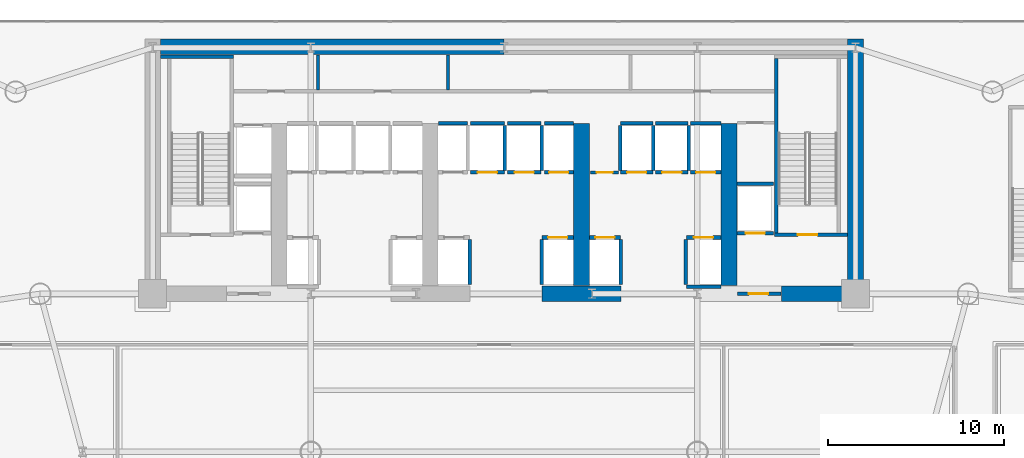
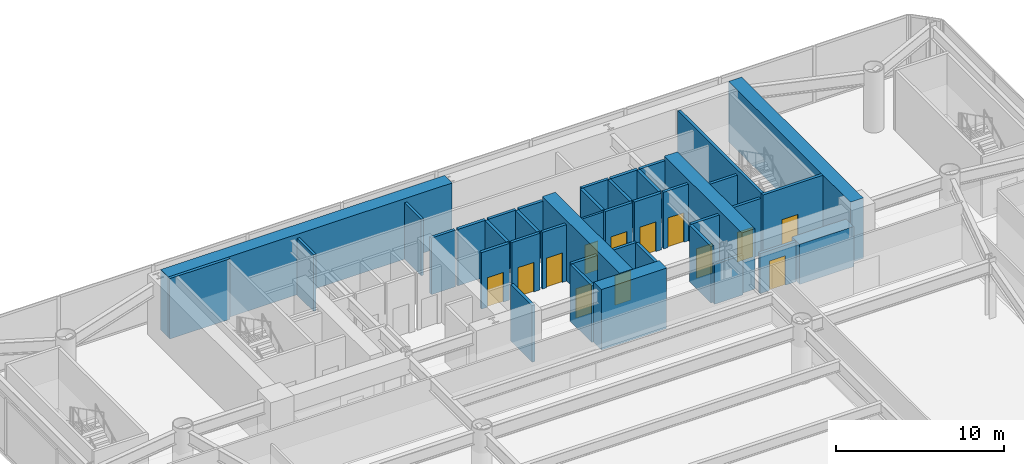
# One storey, part 15 of 24: 41 walls, 13 doors, 13 openings.
"""IFC4 building model written with IfcOpenShell, lengths in metres."""

from ifc_helpers import new_model, si_unit, direction, frame, frame_2d, origin, place, context, subcontext, project, spatial, rectangle, extrude, source, transform, mapped, material, layer, layer_set, type_object, element, fill, save


model = new_model("IFC4")

# Units and contexts
model_context = context("Model", 3, precision=1e-05, world=origin(), true_north=direction((0.0, 1.0)))
body_context = subcontext(model_context, "Body", "Model", "MODEL_VIEW")
ifc_project = project(units=[si_unit("LENGTHUNIT", "METRE"), si_unit("AREAUNIT", "SQUARE_METRE"), si_unit("VOLUMEUNIT", "CUBIC_METRE"), si_unit("PLANEANGLEUNIT", "RADIAN"), si_unit("MASSUNIT", "GRAM", prefix="KILO")], contexts=[model_context])

# Site, building, storey
site_placement = place(None, origin())
site = spatial("IfcSite", under=ifc_project, at=site_placement, CompositionType="ELEMENT")
building_placement = place(site_placement, origin())
building = spatial("IfcBuilding", under=site, at=building_placement, Name="Vaeldorn Concourse Tower", CompositionType="ELEMENT")
storey_placement = place(building_placement, frame((0.0, 0.0, 5.60009765625)))
storey = spatial("IfcBuildingStorey", under=building, at=storey_placement, Name="L01", CompositionType="ELEMENT", Elevation=5.60009765625)

# Walls
ifc_material_1 = material(Name="Concrete C60/75", Category="concrete")
ifc_layer_1 = layer(ifc_material_1, 0.89990234375)
ifc_layer_set_1 = layer_set([ifc_layer_1], Name="Concrete C60/75")
wall_type_1 = type_object("IfcWallType", Name="WL-CORE-900", PredefinedType="SHEAR", material=ifc_layer_set_1)
wall_1_placement = place(storey_placement, frame((14.4541015625, 50.550048828125, 0.0), z_axis=(0.0, 0.0, 1.0), x_axis=(1.0, 0.0, 0.0)))
element("IfcWall", 1, at=wall_1_placement, inside=storey, type_object=wall_type_1, Name="Rear Core Shear Wall L01 N1", PredefinedType="SHEAR", context=body_context, shape_type="SweptSolid", body=[
    extrude(rectangle(XDim=19.5439453125, YDim=0.89990234375, at=frame_2d((9.77197265625, 0.0))), origin(), (0.0, 0.0, 1.0), 4.39990234375),
])
wall_2_placement = place(storey_placement, frame((54.0, 36.5, 0.0), z_axis=(0.0, 0.0, 1.0), x_axis=(0.0, 1.0, 0.0)))
element("IfcWall", 2, at=wall_2_placement, inside=storey, type_object=wall_type_1, Name="Rear Core Shear Wall L01 E1", PredefinedType="SHEAR", context=body_context, shape_type="SweptSolid", body=[
    extrude(rectangle(XDim=14.5, YDim=0.89990234375, at=frame_2d((7.25, 0.0))), origin(), (0.0, 0.0, 1.0), 4.39990234375),
])
wall_3_placement = place(storey_placement, frame((36.14990234375, 36.5, 0.0), z_axis=(0.0, 0.0, 1.0), x_axis=(1.0, 0.0, 0.0)))
element("IfcWall", 3, at=wall_3_placement, inside=storey, type_object=wall_type_1, Name="Rear Core Shear Wall L01 S3", PredefinedType="SHEAR", context=body_context, shape_type="SweptSolid", body=[
    extrude(rectangle(XDim=4.5, YDim=0.89990234375, at=frame_2d((2.25, 0.0))), origin(), (0.0, 0.0, 1.0), 4.39990234375),
])
wall_4_placement = place(storey_placement, frame((49.800048828125, 36.5, 0.0), z_axis=(0.0, 0.0, 1.0), x_axis=(1.0, 0.0, 0.0)))
element("IfcWall", 4, at=wall_4_placement, inside=storey, type_object=wall_type_1, Name="Rear Core Shear Wall L01 S4", PredefinedType="SHEAR", context=body_context, shape_type="SweptSolid", body=[
    extrude(rectangle(XDim=3.72998046875, YDim=0.89990234375, at=frame_2d((1.864990234375, 0.0))), origin(), (0.0, 0.0, 1.0), 2.919921875),
])
for number, where, z_axis, x_axis, name in (
    (5, (38.39990234375, 36.969970703125, 0.0), (0.0, 0.0, 1.0), (0.0, 1.0, 0.0), "Rear Core Shear Wall L01 M3"),
    (6, (46.800048828125, 36.969970703125, 0.0), (0.0, 0.0, 1.0), (0.0, 1.0, 0.0), "Rear Core Shear Wall L01 M4"),
):
    element("IfcWall", number, at=place(storey_placement, frame(where, z_axis=z_axis, x_axis=x_axis)), inside=storey, type_object=wall_type_1, Name=name, PredefinedType="SHEAR", context=body_context, shape_type="SweptSolid", body=[
        extrude(rectangle(XDim=9.22998046875, YDim=0.89990234375, at=frame_2d((4.614990234375, 0.0))), origin(), (0.0, 0.0, 1.0), 4.39990234375),
    ])

# Wall, opening, door
ifc_material_2 = material(Name="Gypsum Board Partition", Category="gypsum")
ifc_layer_2 = layer(ifc_material_2, 0.14990234375)
ifc_layer_set_2 = layer_set([ifc_layer_2], Name="Gypsum Board Partition")
wall_type_2 = type_object("IfcWallType", Name="WL-PART-150", PredefinedType="PARTITIONING", material=ifc_layer_set_2)
wall_5_placement = place(storey_placement, frame((38.919921875, 43.39990234375, 0.0), z_axis=(0.0, 0.0, 1.0), x_axis=(1.0, 0.0, 0.0)))
wall_5 = element("IfcWall", 7, at=wall_5_placement, inside=storey, type_object=wall_type_2, Name="Interior Wall CW-L01-CCLINK", PredefinedType="PARTITIONING", context=body_context, shape_type="SweptSolid", body=[
    extrude(rectangle(XDim=1.60009765625, YDim=0.14990234375, at=frame_2d((0.800048828125, 0.0))), origin(), (0.0, 0.0, 1.0), 4.119873046875),
])
opening_1_placement = place(wall_5_placement, frame((0.35009765625, 0.0, 0.0)))
opening_1 = element("IfcOpeningElement", 8, at=opening_1_placement, cuts=wall_5, Name="Opening D-02", PredefinedType="OPENING", context=body_context, shape_type="SweptSolid", body=[
    extrude(rectangle(XDim=0.89990234375, YDim=2.10009765625, at=frame_2d((0.449951171875, 1.050048828125))), frame((0.0, 0.0849609375, 0.0), z_axis=(0.0, -1.0, 0.0), x_axis=(1.0, 0.0, 0.0)), (0.0, 0.0, 1.0), 0.169921875),
])
ifc_material_3 = material(Name="Fire-Rated Timber Leaf", Category="wood")
door_type_1 = type_object("IfcDoorType", Name="DR-FD30-900", OperationType="NOTDEFINED", PredefinedType="DOOR", material=ifc_material_3)
shared_shape_1 = source(origin(), body_context, "Body", "SweptSolid", [
    extrude(rectangle(XDim=0.89990234375, YDim=2.10009765625, at=frame_2d((0.449951171875, 1.050048828125))), frame((0.0, 0.02490234375, 0.0), z_axis=(0.0, -1.0, 0.0), x_axis=(1.0, 0.0, 0.0)), (0.0, 0.0, 1.0), 0.050048828125),
])
door_1_placement = place(opening_1_placement, origin())
door_1 = element("IfcDoor", 9, at=door_1_placement, inside=storey, type_object=door_type_1, Name="Interior Door DR-L01-CCLINK", OperationType="SINGLE_SWING_LEFT", OverallHeight=2.10009765625, OverallWidth=0.89990234375, PredefinedType="DOOR", context=body_context, shape_type="MappedRepresentation", body=[
    mapped(shared_shape_1, transform((0.0, 0.0, 0.0), scale=1.0)),
])
fill(opening_1, door_1)

# Walls
ifc_layer_3 = layer(ifc_material_2, 0.179931640625)
ifc_layer_set_3 = layer_set([ifc_layer_3], Name="Gypsum Board Partition")
wall_type_3 = type_object("IfcWallType", Name="WL-PLUMB-180", PredefinedType="PLUMBINGWALL", material=ifc_layer_set_3)
for number, where, z_axis, x_axis, name in (
    (10, (23.39990234375, 48.10009765625, 0.0), (0.0, 0.0, 1.0), (0.0, 1.0, 0.0), "Interior Wall CW-L01-NDIV1"),
    (11, (30.800048828125, 48.10009765625, 0.0), (0.0, 0.0, 1.0), (0.0, 1.0, 0.0), "Interior Wall CW-L01-NDIV2"),
):
    element("IfcWall", number, at=place(storey_placement, frame(where, z_axis=z_axis, x_axis=x_axis)), inside=storey, type_object=wall_type_3, Name=name, PredefinedType="PLUMBINGWALL", context=body_context, shape_type="SweptSolid", body=[
        extrude(rectangle(XDim=1.97998046875, YDim=0.179931640625, at=frame_2d((0.989990234375, 0.0))), origin(), (0.0, 0.0, 1.0), 4.119873046875),
    ])
ifc_material_4 = material(Name="Concrete C50/60", Category="concrete")
ifc_layer_4 = layer(ifc_material_4, 0.199951171875)
ifc_layer_set_4 = layer_set([ifc_layer_4], Name="Concrete C50/60")
wall_type_4 = type_object("IfcWallType", Name="WL-SHAFT-200", PredefinedType="SOLIDWALL", material=ifc_layer_set_4)
wall_6_placement = place(storey_placement, frame((14.449951171875, 50.0, 0.0), z_axis=(0.0, 0.0, 1.0), x_axis=(1.0, 0.0, 0.0)))
element("IfcWall", 12, at=wall_6_placement, inside=storey, type_object=wall_type_4, Name="Stair Shaft Wall CW-L01-ST-1-N", PredefinedType="SOLIDWALL", context=body_context, shape_type="SweptSolid", body=[
    extrude(rectangle(XDim=4.150146484375, YDim=0.199951171875, at=frame_2d((2.0751953125, 0.0))), origin(), (0.0, 0.0, 1.0), 4.39990234375),
])

# Wall, opening, door
wall_7_placement = place(storey_placement, frame((49.39990234375, 39.85009765625, 0.0), z_axis=(0.0, 0.0, 1.0), x_axis=(1.0, 0.0, 0.0)))
wall_7 = element("IfcWall", 13, at=wall_7_placement, inside=storey, type_object=wall_type_4, Name="Stair Shaft Wall CW-L01-ST-2-S", PredefinedType="SOLIDWALL", context=body_context, shape_type="SweptSolid", body=[
    extrude(rectangle(XDim=4.150146484375, YDim=0.199951171875, at=frame_2d((2.0751953125, 0.0))), origin(), (0.0, 0.0, 1.0), 4.39990234375),
])
opening_2_placement = place(wall_7_placement, frame((1.324951171875, 0.0, 0.0)))
opening_2 = element("IfcOpeningElement", 14, at=opening_2_placement, cuts=wall_7, Name="Opening D-01", PredefinedType="OPENING", context=body_context, shape_type="SweptSolid", body=[
    extrude(rectangle(XDim=1.10009765625, YDim=2.14990234375, at=frame_2d((0.550048828125, 1.074951171875))), frame((0.0, 0.10986328125, 0.0), z_axis=(0.0, -1.0, 0.0), x_axis=(1.0, 0.0, 0.0)), (0.0, 0.0, 1.0), 0.219970703125),
])
ifc_material_5 = material(Name="Fire-Rated Timber and Steel Leaf", Category="steel")
door_type_2 = type_object("IfcDoorType", Name="DR-FD60-1100", OperationType="NOTDEFINED", PredefinedType="DOOR", material=ifc_material_5)
shared_shape_2 = source(origin(), body_context, "Body", "SweptSolid", [
    extrude(rectangle(XDim=1.10009765625, YDim=2.14990234375, at=frame_2d((0.550048828125, 1.074951171875))), frame((0.0, 0.02490234375, 0.0), z_axis=(0.0, -1.0, 0.0), x_axis=(1.0, 0.0, 0.0)), (0.0, 0.0, 1.0), 0.050048828125),
])
door_2_placement = place(opening_2_placement, origin())
door_2 = element("IfcDoor", 15, at=door_2_placement, inside=storey, type_object=door_type_2, Name="Interior Door DR-L01-ST-2", OperationType="SINGLE_SWING_RIGHT", OverallHeight=2.14990234375, OverallWidth=1.10009765625, PredefinedType="DOOR", context=body_context, shape_type="MappedRepresentation", body=[
    mapped(shared_shape_2, transform((0.0, 0.0, 0.0), scale=1.0)),
])
fill(opening_2, door_2)

# Wall
wall_8_placement = place(storey_placement, frame((49.5, 39.9599609375, 0.0), z_axis=(0.0, 0.0, 1.0), x_axis=(0.0, 1.0, 0.0)))
element("IfcWall", 16, at=wall_8_placement, inside=storey, type_object=wall_type_4, Name="Stair Shaft Wall CW-L01-ST-2-W", PredefinedType="SOLIDWALL", context=body_context, shape_type="SweptSolid", body=[
    extrude(rectangle(XDim=9.929931640625, YDim=0.199951171875, at=frame_2d((4.96484375, 0.0))), origin(), (0.0, 0.0, 1.0), 4.39990234375),
])

# Wall, opening, door
wall_9_placement = place(storey_placement, frame((47.280029296875, 36.5, 0.0), z_axis=(0.0, 0.0, 1.0), x_axis=(1.0, 0.0, 0.0)))
wall_9 = element("IfcWall", 17, at=wall_9_placement, inside=storey, type_object=wall_type_4, Name="Interior Wall CW-L01-FF2S", PredefinedType="SOLIDWALL", context=body_context, shape_type="SweptSolid", body=[
    extrude(rectangle(XDim=2.469970703125, YDim=0.199951171875, at=frame_2d((1.23486328125, 0.0))), origin(), (0.0, 0.0, 1.0), 2.909912109375),
])
opening_3_placement = place(wall_9_placement, frame((0.64990234375, 0.0, 0.0)))
opening_3 = element("IfcOpeningElement", 18, at=opening_3_placement, cuts=wall_9, Name="Opening D-01", PredefinedType="OPENING", context=body_context, shape_type="SweptSolid", body=[
    extrude(rectangle(XDim=1.10009765625, YDim=2.14990234375, at=frame_2d((0.550048828125, 1.074951171875))), frame((0.0, 0.10986328125, 0.0), z_axis=(0.0, -1.0, 0.0), x_axis=(1.0, 0.0, 0.0)), (0.0, 0.0, 1.0), 0.219970703125),
])
door_3_placement = place(opening_3_placement, origin())
door_3 = element("IfcDoor", 19, at=door_3_placement, inside=storey, type_object=door_type_2, Name="Interior Door DR-L01-FF2W", OperationType="SINGLE_SWING_LEFT", OverallHeight=2.14990234375, OverallWidth=1.10009765625, PredefinedType="DOOR", context=body_context, shape_type="MappedRepresentation", body=[
    mapped(shared_shape_2, transform((0.0, 0.0, 0.0), scale=1.0)),
])
fill(opening_3, door_3)

# Wall
wall_10_placement = place(storey_placement, frame((32.050048828125, 37.02001953125, 0.0), z_axis=(0.0, 0.0, 1.0), x_axis=(0.0, 1.0, 0.0)))
element("IfcWall", 20, at=wall_10_placement, inside=storey, type_object=wall_type_4, Name="Interior Wall CW-L01-LFE-LF-07", PredefinedType="SOLIDWALL", context=body_context, shape_type="SweptSolid", body=[
    extrude(rectangle(XDim=2.56005859375, YDim=0.199951171875, at=frame_2d((1.280029296875, 0.0))), origin(), (0.0, 0.0, 1.0), 4.119873046875),
])

# Wall, opening, door
wall_11_placement = place(storey_placement, frame((36.169921875, 39.699951171875, 0.0), z_axis=(0.0, 0.0, 1.0), x_axis=(1.0, 0.0, 0.0)))
wall_11 = element("IfcWall", 21, at=wall_11_placement, inside=storey, type_object=wall_type_4, Name="Interior Wall CW-L01-LF-LF-08", PredefinedType="SOLIDWALL", context=body_context, shape_type="SweptSolid", body=[
    extrude(rectangle(XDim=1.77001953125, YDim=0.199951171875, at=frame_2d((0.885009765625, 0.0))), origin(), (0.0, 0.0, 1.0), 4.119873046875),
])
opening_4_placement = place(wall_11_placement, frame((0.3349609375, 0.0, 0.0)))
opening_4 = element("IfcOpeningElement", 22, at=opening_4_placement, cuts=wall_11, Name="Opening LD-1", PredefinedType="OPENING", context=body_context, shape_type="SweptSolid", body=[
    extrude(rectangle(XDim=1.10009765625, YDim=2.14990234375, at=frame_2d((0.550048828125, 1.074951171875))), frame((0.0, 0.10986328125, 0.0), z_axis=(0.0, -1.0, 0.0), x_axis=(1.0, 0.0, 0.0)), (0.0, 0.0, 1.0), 0.219970703125),
])
ifc_material_6 = material(Name="Anodised Bronze Aluminium", Category="aluminium")
door_type_3 = type_object("IfcDoorType", Name="DR-LIFT-SLIDE-1100", OperationType="DOUBLE_DOOR_SLIDING", PredefinedType="DOOR", material=ifc_material_6)
door_4_placement = place(opening_4_placement, origin())
door_4 = element("IfcDoor", 23, at=door_4_placement, inside=storey, type_object=door_type_3, Name="Lift Landing Door LD-L01-LF-08", OperationType="DOUBLE_DOOR_SLIDING", OverallHeight=2.14990234375, OverallWidth=1.10009765625, PredefinedType="DOOR", context=body_context, shape_type="MappedRepresentation", body=[
    mapped(shared_shape_2, transform((0.0, 0.0, 0.0), scale=1.0)),
])
fill(opening_4, door_4)

# Walls
wall_12_placement = place(storey_placement, frame((36.14990234375, 37.02001953125, 0.0), z_axis=(0.0, 0.0, 1.0), x_axis=(0.0, 1.0, 0.0)))
element("IfcWall", 24, at=wall_12_placement, inside=storey, type_object=wall_type_4, Name="Interior Wall CW-L01-LFW-LF-08", PredefinedType="SOLIDWALL", context=body_context, shape_type="SweptSolid", body=[
    extrude(rectangle(XDim=2.56005859375, YDim=0.199951171875, at=frame_2d((1.280029296875, 0.0))), origin(), (0.0, 0.0, 1.0), 4.119873046875),
])
wall_13_placement = place(storey_placement, frame((30.260009765625, 46.199951171875, 0.0), z_axis=(0.0, 0.0, 1.0), x_axis=(1.0, 0.0, 0.0)))
element("IfcWall", 25, at=wall_13_placement, inside=storey, type_object=wall_type_4, Name="Interior Wall CW-L01-LFB-LF-09", PredefinedType="SOLIDWALL", context=body_context, shape_type="SweptSolid", body=[
    extrude(rectangle(XDim=1.64990234375, YDim=0.199951171875, at=frame_2d((0.824951171875, 0.0))), origin(), (0.0, 0.0, 1.0), 4.119873046875),
])

# Wall, opening, door
wall_14_placement = place(storey_placement, frame((32.090087890625, 43.39990234375, 0.0), z_axis=(0.0, 0.0, 1.0), x_axis=(1.0, 0.0, 0.0)))
wall_14 = element("IfcWall", 26, at=wall_14_placement, inside=storey, type_object=wall_type_4, Name="Interior Wall CW-L01-LF-LF-10", PredefinedType="SOLIDWALL", context=body_context, shape_type="SweptSolid", body=[
    extrude(rectangle(XDim=1.919921875, YDim=0.199951171875, at=frame_2d((0.9599609375, 0.0))), origin(), (0.0, 0.0, 1.0), 4.119873046875),
])
opening_5_placement = place(wall_14_placement, frame((0.409912109375, 0.0, 0.0)))
opening_5 = element("IfcOpeningElement", 27, at=opening_5_placement, cuts=wall_14, Name="Opening LD-1", PredefinedType="OPENING", context=body_context, shape_type="SweptSolid", body=[
    extrude(rectangle(XDim=1.10009765625, YDim=2.14990234375, at=frame_2d((0.550048828125, 1.074951171875))), frame((0.0, 0.10986328125, 0.0), z_axis=(0.0, -1.0, 0.0), x_axis=(1.0, 0.0, 0.0)), (0.0, 0.0, 1.0), 0.219970703125),
])
door_5_placement = place(opening_5_placement, origin())
door_5 = element("IfcDoor", 28, at=door_5_placement, inside=storey, type_object=door_type_3, Name="Lift Landing Door LD-L01-LF-10", OperationType="DOUBLE_DOOR_SLIDING", OverallHeight=2.14990234375, OverallWidth=1.10009765625, PredefinedType="DOOR", context=body_context, shape_type="MappedRepresentation", body=[
    mapped(shared_shape_2, transform((0.0, 0.0, 0.0), scale=1.0)),
])
fill(opening_5, door_5)

# Walls
wall_15_placement = place(storey_placement, frame((32.090087890625, 46.199951171875, 0.0), z_axis=(0.0, 0.0, 1.0), x_axis=(1.0, 0.0, 0.0)))
element("IfcWall", 29, at=wall_15_placement, inside=storey, type_object=wall_type_4, Name="Interior Wall CW-L01-LFB-LF-10", PredefinedType="SOLIDWALL", context=body_context, shape_type="SweptSolid", body=[
    extrude(rectangle(XDim=1.919921875, YDim=0.199951171875, at=frame_2d((0.9599609375, 0.0))), origin(), (0.0, 0.0, 1.0), 4.119873046875),
])
wall_16_placement = place(storey_placement, frame((34.030029296875, 43.52001953125, 0.0), z_axis=(0.0, 0.0, 1.0), x_axis=(0.0, 1.0, 0.0)))
element("IfcWall", 30, at=wall_16_placement, inside=storey, type_object=wall_type_4, Name="Interior Wall CW-L01-LFE-LF-10", PredefinedType="SOLIDWALL", context=body_context, shape_type="SweptSolid", body=[
    extrude(rectangle(XDim=2.56005859375, YDim=0.199951171875, at=frame_2d((1.280029296875, 0.0))), origin(), (0.0, 0.0, 1.0), 4.119873046875),
])

# Wall, opening, door
wall_17_placement = place(storey_placement, frame((34.18994140625, 43.39990234375, 0.0), z_axis=(0.0, 0.0, 1.0), x_axis=(1.0, 0.0, 0.0)))
wall_17 = element("IfcWall", 31, at=wall_17_placement, inside=storey, type_object=wall_type_4, Name="Interior Wall CW-L01-LF-LF-11", PredefinedType="SOLIDWALL", context=body_context, shape_type="SweptSolid", body=[
    extrude(rectangle(XDim=1.920166015625, YDim=0.199951171875, at=frame_2d((0.9599609375, 0.0))), origin(), (0.0, 0.0, 1.0), 4.119873046875),
])
opening_6_placement = place(wall_17_placement, frame((0.409912109375, 0.0, 0.0)))
opening_6 = element("IfcOpeningElement", 32, at=opening_6_placement, cuts=wall_17, Name="Opening LD-1", PredefinedType="OPENING", context=body_context, shape_type="SweptSolid", body=[
    extrude(rectangle(XDim=1.10009765625, YDim=2.14990234375, at=frame_2d((0.550048828125, 1.074951171875))), frame((0.0, 0.10986328125, 0.0), z_axis=(0.0, -1.0, 0.0), x_axis=(1.0, 0.0, 0.0)), (0.0, 0.0, 1.0), 0.219970703125),
])
door_6_placement = place(opening_6_placement, origin())
door_6 = element("IfcDoor", 33, at=door_6_placement, inside=storey, type_object=door_type_3, Name="Lift Landing Door LD-L01-LF-11", OperationType="DOUBLE_DOOR_SLIDING", OverallHeight=2.14990234375, OverallWidth=1.10009765625, PredefinedType="DOOR", context=body_context, shape_type="MappedRepresentation", body=[
    mapped(shared_shape_2, transform((0.0, 0.0, 0.0), scale=1.0)),
])
fill(opening_6, door_6)

# Walls
wall_18_placement = place(storey_placement, frame((34.18994140625, 46.199951171875, 0.0), z_axis=(0.0, 0.0, 1.0), x_axis=(1.0, 0.0, 0.0)))
element("IfcWall", 34, at=wall_18_placement, inside=storey, type_object=wall_type_4, Name="Interior Wall CW-L01-LFB-LF-11", PredefinedType="SOLIDWALL", context=body_context, shape_type="SweptSolid", body=[
    extrude(rectangle(XDim=1.920166015625, YDim=0.199951171875, at=frame_2d((0.9599609375, 0.0))), origin(), (0.0, 0.0, 1.0), 4.119873046875),
])
wall_19_placement = place(storey_placement, frame((36.1298828125, 43.52001953125, 0.0), z_axis=(0.0, 0.0, 1.0), x_axis=(0.0, 1.0, 0.0)))
element("IfcWall", 35, at=wall_19_placement, inside=storey, type_object=wall_type_4, Name="Interior Wall CW-L01-LFE-LF-11", PredefinedType="SOLIDWALL", context=body_context, shape_type="SweptSolid", body=[
    extrude(rectangle(XDim=2.56005859375, YDim=0.199951171875, at=frame_2d((1.280029296875, 0.0))), origin(), (0.0, 0.0, 1.0), 4.119873046875),
])

# Wall, opening, door
wall_20_placement = place(storey_placement, frame((36.2900390625, 43.39990234375, 0.0), z_axis=(0.0, 0.0, 1.0), x_axis=(1.0, 0.0, 0.0)))
wall_20 = element("IfcWall", 36, at=wall_20_placement, inside=storey, type_object=wall_type_4, Name="Interior Wall CW-L01-LF-LF-12", PredefinedType="SOLIDWALL", context=body_context, shape_type="SweptSolid", body=[
    extrude(rectangle(XDim=1.64990234375, YDim=0.199951171875, at=frame_2d((0.824951171875, 0.0))), origin(), (0.0, 0.0, 1.0), 4.119873046875),
])
opening_7_placement = place(wall_20_placement, frame((0.27490234375, 0.0, 0.0)))
opening_7 = element("IfcOpeningElement", 37, at=opening_7_placement, cuts=wall_20, Name="Opening LD-1", PredefinedType="OPENING", context=body_context, shape_type="SweptSolid", body=[
    extrude(rectangle(XDim=1.10009765625, YDim=2.14990234375, at=frame_2d((0.550048828125, 1.074951171875))), frame((0.0, 0.10986328125, 0.0), z_axis=(0.0, -1.0, 0.0), x_axis=(1.0, 0.0, 0.0)), (0.0, 0.0, 1.0), 0.219970703125),
])
door_7_placement = place(opening_7_placement, origin())
door_7 = element("IfcDoor", 38, at=door_7_placement, inside=storey, type_object=door_type_3, Name="Lift Landing Door LD-L01-LF-12", OperationType="DOUBLE_DOOR_SLIDING", OverallHeight=2.14990234375, OverallWidth=1.10009765625, PredefinedType="DOOR", context=body_context, shape_type="MappedRepresentation", body=[
    mapped(shared_shape_2, transform((0.0, 0.0, 0.0), scale=1.0)),
])
fill(opening_7, door_7)

# Wall
wall_21_placement = place(storey_placement, frame((36.2900390625, 46.199951171875, 0.0), z_axis=(0.0, 0.0, 1.0), x_axis=(1.0, 0.0, 0.0)))
element("IfcWall", 39, at=wall_21_placement, inside=storey, type_object=wall_type_4, Name="Interior Wall CW-L01-LFB-LF-12", PredefinedType="SOLIDWALL", context=body_context, shape_type="SweptSolid", body=[
    extrude(rectangle(XDim=1.64990234375, YDim=0.199951171875, at=frame_2d((0.824951171875, 0.0))), origin(), (0.0, 0.0, 1.0), 4.119873046875),
])

# Wall, opening, door
wall_22_placement = place(storey_placement, frame((38.860107421875, 39.699951171875, 0.0), z_axis=(0.0, 0.0, 1.0), x_axis=(1.0, 0.0, 0.0)))
wall_22 = element("IfcWall", 40, at=wall_22_placement, inside=storey, type_object=wall_type_4, Name="Interior Wall CW-L01-LF-LF-13", PredefinedType="SOLIDWALL", context=body_context, shape_type="SweptSolid", body=[
    extrude(rectangle(XDim=1.769775390625, YDim=0.199951171875, at=frame_2d((0.884765625, 0.0))), origin(), (0.0, 0.0, 1.0), 4.119873046875),
])
opening_8_placement = place(wall_22_placement, frame((0.3349609375, 0.0, 0.0)))
opening_8 = element("IfcOpeningElement", 41, at=opening_8_placement, cuts=wall_22, Name="Opening LD-1", PredefinedType="OPENING", context=body_context, shape_type="SweptSolid", body=[
    extrude(rectangle(XDim=1.10009765625, YDim=2.14990234375, at=frame_2d((0.550048828125, 1.074951171875))), frame((0.0, 0.10986328125, 0.0), z_axis=(0.0, -1.0, 0.0), x_axis=(1.0, 0.0, 0.0)), (0.0, 0.0, 1.0), 0.219970703125),
])
door_8_placement = place(opening_8_placement, origin())
door_8 = element("IfcDoor", 42, at=door_8_placement, inside=storey, type_object=door_type_3, Name="Lift Landing Door LD-L01-LF-13", OperationType="DOUBLE_DOOR_SLIDING", OverallHeight=2.14990234375, OverallWidth=1.10009765625, PredefinedType="DOOR", context=body_context, shape_type="MappedRepresentation", body=[
    mapped(shared_shape_2, transform((0.0, 0.0, 0.0), scale=1.0)),
])
fill(opening_8, door_8)

# Wall
wall_23_placement = place(storey_placement, frame((40.64990234375, 37.02001953125, 0.0), z_axis=(0.0, 0.0, 1.0), x_axis=(0.0, 1.0, 0.0)))
element("IfcWall", 43, at=wall_23_placement, inside=storey, type_object=wall_type_4, Name="Interior Wall CW-L01-LFE-LF-13", PredefinedType="SOLIDWALL", context=body_context, shape_type="SweptSolid", body=[
    extrude(rectangle(XDim=2.56005859375, YDim=0.199951171875, at=frame_2d((1.280029296875, 0.0))), origin(), (0.0, 0.0, 1.0), 4.119873046875),
])

# Wall, opening, door
wall_24_placement = place(storey_placement, frame((44.3701171875, 39.699951171875, 0.0), z_axis=(0.0, 0.0, 1.0), x_axis=(1.0, 0.0, 0.0)))
wall_24 = element("IfcWall", 44, at=wall_24_placement, inside=storey, type_object=wall_type_4, Name="Interior Wall CW-L01-LF-LF-14", PredefinedType="SOLIDWALL", context=body_context, shape_type="SweptSolid", body=[
    extrude(rectangle(XDim=1.9599609375, YDim=0.199951171875, at=frame_2d((0.97998046875, 0.0))), origin(), (0.0, 0.0, 1.0), 4.119873046875),
])
opening_9_placement = place(wall_24_placement, frame((0.429931640625, 0.0, 0.0)))
opening_9 = element("IfcOpeningElement", 45, at=opening_9_placement, cuts=wall_24, Name="Opening LD-1", PredefinedType="OPENING", context=body_context, shape_type="SweptSolid", body=[
    extrude(rectangle(XDim=1.10009765625, YDim=2.14990234375, at=frame_2d((0.550048828125, 1.074951171875))), frame((0.0, 0.10986328125, 0.0), z_axis=(0.0, -1.0, 0.0), x_axis=(1.0, 0.0, 0.0)), (0.0, 0.0, 1.0), 0.219970703125),
])
door_9_placement = place(opening_9_placement, origin())
door_9 = element("IfcDoor", 46, at=door_9_placement, inside=storey, type_object=door_type_3, Name="Lift Landing Door LD-L01-LF-14", OperationType="DOUBLE_DOOR_SLIDING", OverallHeight=2.14990234375, OverallWidth=1.10009765625, PredefinedType="DOOR", context=body_context, shape_type="MappedRepresentation", body=[
    mapped(shared_shape_2, transform((0.0, 0.0, 0.0), scale=1.0)),
])
fill(opening_9, door_9)

# Walls
wall_25_placement = place(storey_placement, frame((44.3701171875, 36.89990234375, 0.0), z_axis=(0.0, 0.0, 1.0), x_axis=(1.0, 0.0, 0.0)))
element("IfcWall", 47, at=wall_25_placement, inside=storey, type_object=wall_type_4, Name="Interior Wall CW-L01-LFB-LF-14", PredefinedType="SOLIDWALL", context=body_context, shape_type="SweptSolid", body=[
    extrude(rectangle(XDim=1.9599609375, YDim=0.199951171875, at=frame_2d((0.97998046875, 0.0))), origin(), (0.0, 0.0, 1.0), 2.909912109375),
])
wall_26_placement = place(storey_placement, frame((44.35009765625, 37.02001953125, 0.0), z_axis=(0.0, 0.0, 1.0), x_axis=(0.0, 1.0, 0.0)))
element("IfcWall", 48, at=wall_26_placement, inside=storey, type_object=wall_type_4, Name="Interior Wall CW-L01-LFW-LF-14", PredefinedType="SOLIDWALL", context=body_context, shape_type="SweptSolid", body=[
    extrude(rectangle(XDim=2.56005859375, YDim=0.199951171875, at=frame_2d((1.280029296875, 0.0))), origin(), (0.0, 0.0, 1.0), 4.119873046875),
])

# Wall, opening, door
wall_27_placement = place(storey_placement, frame((40.6201171875, 43.39990234375, 0.0), z_axis=(0.0, 0.0, 1.0), x_axis=(1.0, 0.0, 0.0)))
wall_27 = element("IfcWall", 49, at=wall_27_placement, inside=storey, type_object=wall_type_4, Name="Interior Wall CW-L01-LF-LF-15", PredefinedType="SOLIDWALL", context=body_context, shape_type="SweptSolid", body=[
    extrude(rectangle(XDim=1.85986328125, YDim=0.199951171875, at=frame_2d((0.929931640625, 0.0))), origin(), (0.0, 0.0, 1.0), 4.119873046875),
])
opening_10_placement = place(wall_27_placement, frame((0.3798828125, 0.0, 0.0)))
opening_10 = element("IfcOpeningElement", 50, at=opening_10_placement, cuts=wall_27, Name="Opening LD-1", PredefinedType="OPENING", context=body_context, shape_type="SweptSolid", body=[
    extrude(rectangle(XDim=1.10009765625, YDim=2.14990234375, at=frame_2d((0.550048828125, 1.074951171875))), frame((0.0, 0.10986328125, 0.0), z_axis=(0.0, -1.0, 0.0), x_axis=(1.0, 0.0, 0.0)), (0.0, 0.0, 1.0), 0.219970703125),
])
door_10_placement = place(opening_10_placement, origin())
door_10 = element("IfcDoor", 51, at=door_10_placement, inside=storey, type_object=door_type_3, Name="Lift Landing Door LD-L01-LF-15", OperationType="DOUBLE_DOOR_SLIDING", OverallHeight=2.14990234375, OverallWidth=1.10009765625, PredefinedType="DOOR", context=body_context, shape_type="MappedRepresentation", body=[
    mapped(shared_shape_2, transform((0.0, 0.0, 0.0), scale=1.0)),
])
fill(opening_10, door_10)

# Walls
wall_28_placement = place(storey_placement, frame((40.6201171875, 46.199951171875, 0.0), z_axis=(0.0, 0.0, 1.0), x_axis=(1.0, 0.0, 0.0)))
element("IfcWall", 52, at=wall_28_placement, inside=storey, type_object=wall_type_4, Name="Interior Wall CW-L01-LFB-LF-15", PredefinedType="SOLIDWALL", context=body_context, shape_type="SweptSolid", body=[
    extrude(rectangle(XDim=1.85986328125, YDim=0.199951171875, at=frame_2d((0.929931640625, 0.0))), origin(), (0.0, 0.0, 1.0), 4.119873046875),
])
for number, where, z_axis, x_axis, name in (
    (53, (40.60009765625, 43.52001953125, 0.0), (0.0, 0.0, 1.0), (0.0, 1.0, 0.0), "Interior Wall CW-L01-LFW-LF-15"),
    (54, (42.5, 43.52001953125, 0.0), (0.0, 0.0, 1.0), (0.0, 1.0, 0.0), "Interior Wall CW-L01-LFE-LF-15"),
):
    element("IfcWall", number, at=place(storey_placement, frame(where, z_axis=z_axis, x_axis=x_axis)), inside=storey, type_object=wall_type_4, Name=name, PredefinedType="SOLIDWALL", context=body_context, shape_type="SweptSolid", body=[
        extrude(rectangle(XDim=2.56005859375, YDim=0.199951171875, at=frame_2d((1.280029296875, 0.0))), origin(), (0.0, 0.0, 1.0), 4.119873046875),
    ])

# Wall, opening, door
wall_29_placement = place(storey_placement, frame((42.6201171875, 43.39990234375, 0.0), z_axis=(0.0, 0.0, 1.0), x_axis=(1.0, 0.0, 0.0)))
wall_29 = element("IfcWall", 55, at=wall_29_placement, inside=storey, type_object=wall_type_4, Name="Interior Wall CW-L01-LF-LF-16", PredefinedType="SOLIDWALL", context=body_context, shape_type="SweptSolid", body=[
    extrude(rectangle(XDim=1.85986328125, YDim=0.199951171875, at=frame_2d((0.929931640625, 0.0))), origin(), (0.0, 0.0, 1.0), 4.119873046875),
])
opening_11_placement = place(wall_29_placement, frame((0.3798828125, 0.0, 0.0)))
opening_11 = element("IfcOpeningElement", 56, at=opening_11_placement, cuts=wall_29, Name="Opening LD-1", PredefinedType="OPENING", context=body_context, shape_type="SweptSolid", body=[
    extrude(rectangle(XDim=1.10009765625, YDim=2.14990234375, at=frame_2d((0.550048828125, 1.074951171875))), frame((0.0, 0.10986328125, 0.0), z_axis=(0.0, -1.0, 0.0), x_axis=(1.0, 0.0, 0.0)), (0.0, 0.0, 1.0), 0.219970703125),
])
door_11_placement = place(opening_11_placement, origin())
door_11 = element("IfcDoor", 57, at=door_11_placement, inside=storey, type_object=door_type_3, Name="Lift Landing Door LD-L01-LF-16", OperationType="DOUBLE_DOOR_SLIDING", OverallHeight=2.14990234375, OverallWidth=1.10009765625, PredefinedType="DOOR", context=body_context, shape_type="MappedRepresentation", body=[
    mapped(shared_shape_2, transform((0.0, 0.0, 0.0), scale=1.0)),
])
fill(opening_11, door_11)

# Walls
wall_30_placement = place(storey_placement, frame((42.6201171875, 46.199951171875, 0.0), z_axis=(0.0, 0.0, 1.0), x_axis=(1.0, 0.0, 0.0)))
element("IfcWall", 58, at=wall_30_placement, inside=storey, type_object=wall_type_4, Name="Interior Wall CW-L01-LFB-LF-16", PredefinedType="SOLIDWALL", context=body_context, shape_type="SweptSolid", body=[
    extrude(rectangle(XDim=1.85986328125, YDim=0.199951171875, at=frame_2d((0.929931640625, 0.0))), origin(), (0.0, 0.0, 1.0), 4.119873046875),
])
wall_31_placement = place(storey_placement, frame((44.5, 43.52001953125, 0.0), z_axis=(0.0, 0.0, 1.0), x_axis=(0.0, 1.0, 0.0)))
element("IfcWall", 59, at=wall_31_placement, inside=storey, type_object=wall_type_4, Name="Interior Wall CW-L01-LFE-LF-16", PredefinedType="SOLIDWALL", context=body_context, shape_type="SweptSolid", body=[
    extrude(rectangle(XDim=2.56005859375, YDim=0.199951171875, at=frame_2d((1.280029296875, 0.0))), origin(), (0.0, 0.0, 1.0), 4.119873046875),
])

# Wall, opening, door
wall_32_placement = place(storey_placement, frame((44.6201171875, 43.39990234375, 0.0), z_axis=(0.0, 0.0, 1.0), x_axis=(1.0, 0.0, 0.0)))
wall_32 = element("IfcWall", 60, at=wall_32_placement, inside=storey, type_object=wall_type_4, Name="Interior Wall CW-L01-LF-LF-17", PredefinedType="SOLIDWALL", context=body_context, shape_type="SweptSolid", body=[
    extrude(rectangle(XDim=1.719970703125, YDim=0.199951171875, at=frame_2d((0.85986328125, 0.0))), origin(), (0.0, 0.0, 1.0), 4.119873046875),
])
opening_12_placement = place(wall_32_placement, frame((0.31005859375, 0.0, 0.0)))
opening_12 = element("IfcOpeningElement", 61, at=opening_12_placement, cuts=wall_32, Name="Opening LD-1", PredefinedType="OPENING", context=body_context, shape_type="SweptSolid", body=[
    extrude(rectangle(XDim=1.10009765625, YDim=2.14990234375, at=frame_2d((0.550048828125, 1.074951171875))), frame((0.0, 0.10986328125, 0.0), z_axis=(0.0, -1.0, 0.0), x_axis=(1.0, 0.0, 0.0)), (0.0, 0.0, 1.0), 0.219970703125),
])
door_12_placement = place(opening_12_placement, origin())
door_12 = element("IfcDoor", 62, at=door_12_placement, inside=storey, type_object=door_type_3, Name="Lift Landing Door LD-L01-LF-17", OperationType="DOUBLE_DOOR_SLIDING", OverallHeight=2.14990234375, OverallWidth=1.10009765625, PredefinedType="DOOR", context=body_context, shape_type="MappedRepresentation", body=[
    mapped(shared_shape_2, transform((0.0, 0.0, 0.0), scale=1.0)),
])
fill(opening_12, door_12)

# Wall
wall_33_placement = place(storey_placement, frame((44.6201171875, 46.199951171875, 0.0), z_axis=(0.0, 0.0, 1.0), x_axis=(1.0, 0.0, 0.0)))
element("IfcWall", 63, at=wall_33_placement, inside=storey, type_object=wall_type_4, Name="Interior Wall CW-L01-LFB-LF-17", PredefinedType="SOLIDWALL", context=body_context, shape_type="SweptSolid", body=[
    extrude(rectangle(XDim=1.719970703125, YDim=0.199951171875, at=frame_2d((0.85986328125, 0.0))), origin(), (0.0, 0.0, 1.0), 4.119873046875),
])

# Wall, opening, door
wall_34_placement = place(storey_placement, frame((47.260009765625, 39.949951171875, 0.0), z_axis=(0.0, 0.0, 1.0), x_axis=(1.0, 0.0, 0.0)))
wall_34 = element("IfcWall", 64, at=wall_34_placement, inside=storey, type_object=wall_type_4, Name="Interior Wall CW-L01-LF-LF-FF2", PredefinedType="SOLIDWALL", context=body_context, shape_type="SweptSolid", body=[
    extrude(rectangle(XDim=2.070068359375, YDim=0.199951171875, at=frame_2d((1.03515625, 0.0))), origin(), (0.0, 0.0, 1.0), 4.119873046875),
])
opening_13_placement = place(wall_34_placement, frame((0.485107421875, 0.0, 0.0)))
opening_13 = element("IfcOpeningElement", 65, at=opening_13_placement, cuts=wall_34, Name="Opening LD-1", PredefinedType="OPENING", context=body_context, shape_type="SweptSolid", body=[
    extrude(rectangle(XDim=1.10009765625, YDim=2.14990234375, at=frame_2d((0.550048828125, 1.074951171875))), frame((0.0, 0.10986328125, 0.0), z_axis=(0.0, -1.0, 0.0), x_axis=(1.0, 0.0, 0.0)), (0.0, 0.0, 1.0), 0.219970703125),
])
door_13_placement = place(opening_13_placement, origin())
door_13 = element("IfcDoor", 66, at=door_13_placement, inside=storey, type_object=door_type_3, Name="Lift Landing Door LD-L01-LF-FF2", OperationType="DOUBLE_DOOR_SLIDING", OverallHeight=2.14990234375, OverallWidth=1.10009765625, PredefinedType="DOOR", context=body_context, shape_type="MappedRepresentation", body=[
    mapped(shared_shape_2, transform((0.0, 0.0, 0.0), scale=1.0)),
])
fill(opening_13, door_13)

# Wall
wall_35_placement = place(storey_placement, frame((47.260009765625, 42.75, 0.0), z_axis=(0.0, 0.0, 1.0), x_axis=(1.0, 0.0, 0.0)))
element("IfcWall", 67, at=wall_35_placement, inside=storey, type_object=wall_type_4, Name="Interior Wall CW-L01-LFB-LF-FF2", PredefinedType="SOLIDWALL", context=body_context, shape_type="SweptSolid", body=[
    extrude(rectangle(XDim=2.070068359375, YDim=0.199951171875, at=frame_2d((1.03515625, 0.0))), origin(), (0.0, 0.0, 1.0), 4.119873046875),
])

save(model, "model.ifc")
